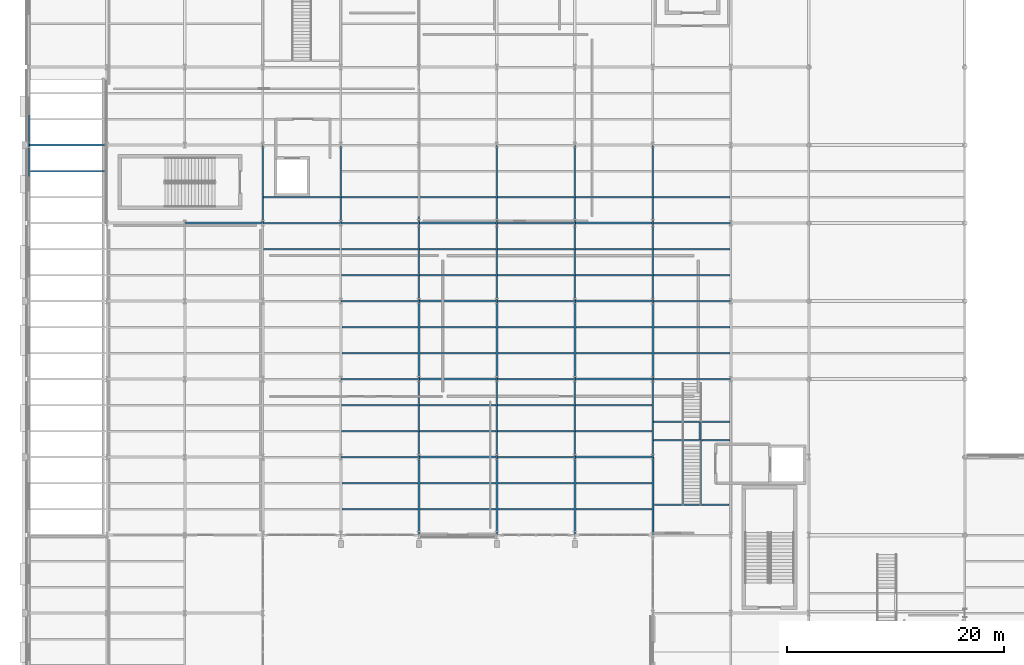
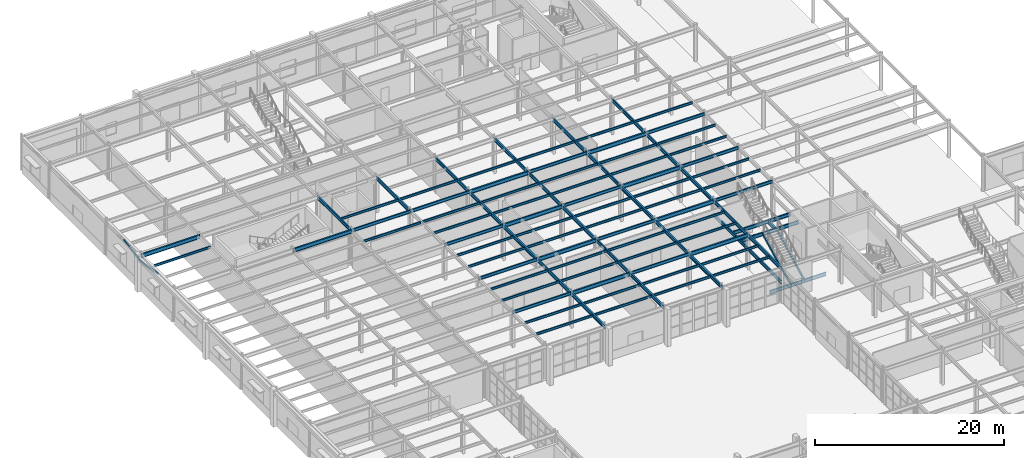
# One storey, part 36 of 83: 93 beams, 4 members.
"""IFC4 building model written with IfcOpenShell, lengths in metres."""

from ifc_helpers import new_model, si_unit, direction, frame, origin, origin_2d, place, context, subcontext, project, spatial, hollow_rectangle, i_section, extrude, material, material_profile, profile_set, type_object, element, save


model = new_model("IFC4")

# Units and contexts
model_context = context("Model", 3, precision=1e-05, world=origin(), true_north=direction((0.0, 1.0)))
body_context = subcontext(model_context, "Body", "Model", "MODEL_VIEW")
ifc_project = project(units=[si_unit("LENGTHUNIT", "METRE"), si_unit("AREAUNIT", "SQUARE_METRE"), si_unit("VOLUMEUNIT", "CUBIC_METRE"), si_unit("PLANEANGLEUNIT", "RADIAN"), si_unit("MASSUNIT", "GRAM", prefix="KILO")], contexts=[model_context])

# Site, building, storey
site_placement = place(None, origin())
site = spatial("IfcSite", under=ifc_project, at=site_placement, CompositionType="ELEMENT")
building_placement = place(site_placement, origin())
building = spatial("IfcBuilding", under=site, at=building_placement, Name="Solvadek Multi-Sports Hall", CompositionType="ELEMENT")
storey_placement = place(building_placement, origin())
storey = spatial("IfcBuildingStorey", under=building, at=storey_placement, Name="L00", CompositionType="ELEMENT", Elevation=0.0)

# Members
ifc_material_1 = material(Name="Steel E250 (250 MPa)", Category="steel")
ifc_material_profile_1 = material_profile(ifc_material_1, hollow_rectangle(XDim=0.14990234375, YDim=0.300048828125, WallThickness=0.010009765625, at=origin_2d()), Name="RHS 300x150x10")
ifc_profile_set_1 = profile_set([ifc_material_profile_1], Name="Steel E250 (250 MPa)")
member_type_1 = type_object("IfcMemberType", Name="INT-SGR-RHS300", PredefinedType="STRINGER", material=ifc_profile_set_1)
for number, where, z_axis, x_axis, name in (
    (1, (62.0400390625, 52.0, -0.47998046875), (0.0, 0.889594277136, 0.456751597793), (-1.0, 0.0, 0.0), "Stair ST-10 Steel Stringer #7"),
    (2, (60.360107421875, 52.0, -0.47998046875), (0.0, 0.889594277136, 0.456751597793), (-1.0, 0.0, 0.0), "Stair ST-10 Steel Stringer #8"),
):
    element("IfcMember", number, at=place(storey_placement, frame(where, z_axis=z_axis, x_axis=x_axis)), inside=storey, type_object=member_type_1, Name=name, PredefinedType="STRINGER", context=body_context, shape_type="SweptSolid", body=[
        extrude(hollow_rectangle(XDim=0.14990234375, YDim=0.300048828125, WallThickness=0.010009765625, at=origin_2d()), origin(), (0.0, 0.0, 1.0), 6.6884765625),
    ])
ifc_material_2 = material(Name="Steel E350 (350 MPa)", Category="steel")
ifc_material_profile_2 = material_profile(ifc_material_2, hollow_rectangle(XDim=0.14990234375, YDim=0.25, WallThickness=0.010009765625, at=origin_2d()), Name="RHS 250x150x10")
ifc_profile_set_2 = profile_set([ifc_material_profile_2], Name="Steel E350 (350 MPa)")
member_type_2 = type_object("IfcMemberType", Name="STR-ARC-RHS250", PredefinedType="USERDEFINED", material=ifc_profile_set_2)
member_1_placement = place(storey_placement, frame((0.0, 81.60009765625, 4.219970703125), z_axis=(0.0, 0.9831211258, -0.182955874479), x_axis=(-1.0, 0.0, 0.0)))
element("IfcMember", 3, at=member_1_placement, inside=storey, type_object=member_type_2, Name="L00 West Facade Pointed Ottoman Arch 9R", ObjectType="ARCH_SEGMENT", PredefinedType="USERDEFINED", context=body_context, shape_type="SweptSolid", body=[
    extrude(hollow_rectangle(XDim=0.14990234375, YDim=0.25, WallThickness=0.010009765625, at=origin_2d()), origin(), (0.0, 0.0, 1.0), 3.66162109375),
])
member_2_placement = place(storey_placement, frame((0.0, 85.199951171875, 3.550048828125), z_axis=(0.0, 0.983123357379, 0.182943882588), x_axis=(-1.0, 0.0, 0.0)))
element("IfcMember", 4, at=member_2_placement, inside=storey, type_object=member_type_2, Name="L00 West Facade Pointed Ottoman Arch 10L", ObjectType="ARCH_SEGMENT", PredefinedType="USERDEFINED", context=body_context, shape_type="SweptSolid", body=[
    extrude(hollow_rectangle(XDim=0.14990234375, YDim=0.25, WallThickness=0.010009765625, at=origin_2d()), origin(), (0.0, 0.0, 1.0), 3.661865234375),
])

# Beams
ifc_material_profile_3 = material_profile(ifc_material_2, i_section(OverallWidth=0.139892578125, OverallDepth=0.39990234375, WebThickness=0.0087890625, FlangeThickness=0.01611328125, at=origin_2d()), Name="ISMB 400")
ifc_profile_set_3 = profile_set([ifc_material_profile_3], Name="Steel E350 (350 MPa)")
beam_type_1 = type_object("IfcBeamType", Name="STR-BM-ISMB400", PredefinedType="BEAM", material=ifc_profile_set_3)
for number, where, z_axis, x_axis, name in (
    (5, (28.800048828125, 56.39990234375, 4.3798828125), (1.0, 0.0, 0.0), (0.0, 1.0, 0.0), "L00 Girder B-10 #627"),
    (6, (43.199951171875, 56.39990234375, 4.3798828125), (1.0, 0.0, 0.0), (0.0, 1.0, 0.0), "L00 Girder B-10 #629"),
    (7, (28.800048828125, 63.60009765625, 4.3798828125), (1.0, 0.0, 0.0), (0.0, 1.0, 0.0), "L00 Girder B-10 #641"),
    (8, (43.199951171875, 63.60009765625, 4.3798828125), (1.0, 0.0, 0.0), (0.0, 1.0, 0.0), "L00 Girder B-10 #643"),
    (9, (57.60009765625, 63.60009765625, 4.3798828125), (1.0, 0.0, 0.0), (0.0, 1.0, 0.0), "L00 Girder B-10 #645"),
    (10, (28.800048828125, 70.800048828125, 4.3798828125), (1.0, 0.0, 0.0), (0.0, 1.0, 0.0), "L00 Girder B-10 #656"),
    (11, (43.199951171875, 70.800048828125, 4.3798828125), (1.0, 0.0, 0.0), (0.0, 1.0, 0.0), "L00 Girder B-10 #658"),
    (12, (57.60009765625, 70.800048828125, 4.3798828125), (1.0, 0.0, 0.0), (0.0, 1.0, 0.0), "L00 Girder B-10 #660"),
    (13, (21.60009765625, 78.0, 4.3798828125), (1.0, 0.0, 0.0), (0.0, 1.0, 0.0), "L00 Girder B-10 #670"),
    (14, (28.800048828125, 78.0, 4.3798828125), (1.0, 0.0, 0.0), (0.0, 1.0, 0.0), "L00 Girder B-10 #671"),
    (15, (43.199951171875, 78.0, 4.3798828125), (1.0, 0.0, 0.0), (0.0, 1.0, 0.0), "L00 Girder B-10 #673"),
    (16, (57.60009765625, 78.0, 4.3798828125), (1.0, 0.0, 0.0), (0.0, 1.0, 0.0), "L00 Girder B-10 #675"),
):
    element("IfcBeam", number, at=place(storey_placement, frame(where, z_axis=z_axis, x_axis=x_axis)), inside=storey, type_object=beam_type_1, Name=name, PredefinedType="BEAM", context=body_context, shape_type="SweptSolid", body=[
        extrude(i_section(OverallWidth=0.139892578125, OverallDepth=0.39990234375, WebThickness=0.0087890625, FlangeThickness=0.01611328125, at=origin_2d()), origin(), (0.0, 0.0, 1.0), 7.199951171875),
    ])
ifc_material_profile_4 = material_profile(ifc_material_2, i_section(OverallWidth=0.14990234375, OverallDepth=0.449951171875, WebThickness=0.009521484375, FlangeThickness=0.017333984375, at=origin_2d()), Name="ISMB 450")
ifc_profile_set_4 = profile_set([ifc_material_profile_4], Name="Steel E350 (350 MPa)")
beam_type_2 = type_object("IfcBeamType", Name="STR-BM-ISMB450", PredefinedType="BEAM", material=ifc_profile_set_4)
for number, where, z_axis, x_axis, name in (
    (17, (21.60009765625, 78.0, 4.35498046875), (0.0, 1.0, 0.0), (-1.0, 0.0, 0.0), "L00 Girder B-09 #771"),
    (18, (28.800048828125, 78.0, 4.35498046875), (0.0, 1.0, 0.0), (-1.0, 0.0, 0.0), "L00 Girder B-09 #779"),
):
    element("IfcBeam", number, at=place(storey_placement, frame(where, z_axis=z_axis, x_axis=x_axis)), inside=storey, type_object=beam_type_2, Name=name, PredefinedType="BEAM", context=body_context, shape_type="SweptSolid", body=[
        extrude(i_section(OverallWidth=0.14990234375, OverallDepth=0.449951171875, WebThickness=0.009521484375, FlangeThickness=0.017333984375, at=origin_2d()), origin(), (0.0, 0.0, 1.0), 7.199951171875),
    ])
beam_1_placement = place(storey_placement, frame((36.0, 56.39990234375, 4.35498046875), z_axis=(0.0, 1.0, 0.0), x_axis=(-1.0, 0.0, 0.0)))
element("IfcBeam", 19, at=beam_1_placement, inside=storey, type_object=beam_type_2, Name="L00 Girder B-09 #786", PredefinedType="BEAM", context=body_context, shape_type="SweptSolid", body=[
    extrude(i_section(OverallWidth=0.14990234375, OverallDepth=0.449951171875, WebThickness=0.009521484375, FlangeThickness=0.017333984375, at=origin_2d()), origin(), (0.0, 0.0, 1.0), 7.2001953125),
])
for number, where, z_axis, x_axis, name in (
    (20, (36.0, 70.800048828125, 4.35498046875), (0.0, 1.0, 0.0), (-1.0, 0.0, 0.0), "L00 Girder B-09 #788"),
    (21, (36.0, 78.0, 4.35498046875), (0.0, 1.0, 0.0), (-1.0, 0.0, 0.0), "L00 Girder B-09 #789"),
):
    element("IfcBeam", number, at=place(storey_placement, frame(where, z_axis=z_axis, x_axis=x_axis)), inside=storey, type_object=beam_type_2, Name=name, PredefinedType="BEAM", context=body_context, shape_type="SweptSolid", body=[
        extrude(i_section(OverallWidth=0.14990234375, OverallDepth=0.449951171875, WebThickness=0.009521484375, FlangeThickness=0.017333984375, at=origin_2d()), origin(), (0.0, 0.0, 1.0), 7.199951171875),
    ])
beam_2_placement = place(storey_placement, frame((43.199951171875, 56.39990234375, 4.35498046875), z_axis=(0.0, 1.0, 0.0), x_axis=(-1.0, 0.0, 0.0)))
element("IfcBeam", 22, at=beam_2_placement, inside=storey, type_object=beam_type_2, Name="L00 Girder B-09 #798", PredefinedType="BEAM", context=body_context, shape_type="SweptSolid", body=[
    extrude(i_section(OverallWidth=0.14990234375, OverallDepth=0.449951171875, WebThickness=0.009521484375, FlangeThickness=0.017333984375, at=origin_2d()), origin(), (0.0, 0.0, 1.0), 7.2001953125),
])
for number, where, z_axis, x_axis, name in (
    (23, (43.199951171875, 70.800048828125, 4.35498046875), (0.0, 1.0, 0.0), (-1.0, 0.0, 0.0), "L00 Girder B-09 #800"),
    (24, (43.199951171875, 78.0, 4.35498046875), (0.0, 1.0, 0.0), (-1.0, 0.0, 0.0), "L00 Girder B-09 #801"),
):
    element("IfcBeam", number, at=place(storey_placement, frame(where, z_axis=z_axis, x_axis=x_axis)), inside=storey, type_object=beam_type_2, Name=name, PredefinedType="BEAM", context=body_context, shape_type="SweptSolid", body=[
        extrude(i_section(OverallWidth=0.14990234375, OverallDepth=0.449951171875, WebThickness=0.009521484375, FlangeThickness=0.017333984375, at=origin_2d()), origin(), (0.0, 0.0, 1.0), 7.199951171875),
    ])
beam_3_placement = place(storey_placement, frame((50.39990234375, 56.39990234375, 4.35498046875), z_axis=(0.0, 1.0, 0.0), x_axis=(-1.0, 0.0, 0.0)))
element("IfcBeam", 25, at=beam_3_placement, inside=storey, type_object=beam_type_2, Name="L00 Girder B-09 #810", PredefinedType="BEAM", context=body_context, shape_type="SweptSolid", body=[
    extrude(i_section(OverallWidth=0.14990234375, OverallDepth=0.449951171875, WebThickness=0.009521484375, FlangeThickness=0.017333984375, at=origin_2d()), origin(), (0.0, 0.0, 1.0), 7.2001953125),
])
for number, where, z_axis, x_axis, name in (
    (26, (50.39990234375, 70.800048828125, 4.35498046875), (0.0, 1.0, 0.0), (-1.0, 0.0, 0.0), "L00 Girder B-09 #812"),
    (27, (50.39990234375, 78.0, 4.35498046875), (0.0, 1.0, 0.0), (-1.0, 0.0, 0.0), "L00 Girder B-09 #813"),
):
    element("IfcBeam", number, at=place(storey_placement, frame(where, z_axis=z_axis, x_axis=x_axis)), inside=storey, type_object=beam_type_2, Name=name, PredefinedType="BEAM", context=body_context, shape_type="SweptSolid", body=[
        extrude(i_section(OverallWidth=0.14990234375, OverallDepth=0.449951171875, WebThickness=0.009521484375, FlangeThickness=0.017333984375, at=origin_2d()), origin(), (0.0, 0.0, 1.0), 7.199951171875),
    ])
beam_4_placement = place(storey_placement, frame((57.60009765625, 56.39990234375, 4.35498046875), z_axis=(0.0, 1.0, 0.0), x_axis=(-1.0, 0.0, 0.0)))
element("IfcBeam", 28, at=beam_4_placement, inside=storey, type_object=beam_type_2, Name="L00 Girder B-09 #829", PredefinedType="BEAM", context=body_context, shape_type="SweptSolid", body=[
    extrude(i_section(OverallWidth=0.14990234375, OverallDepth=0.449951171875, WebThickness=0.009521484375, FlangeThickness=0.017333984375, at=origin_2d()), origin(), (0.0, 0.0, 1.0), 7.2001953125),
])
for number, where, z_axis, x_axis, name in (
    (29, (57.60009765625, 70.800048828125, 4.35498046875), (0.0, 1.0, 0.0), (-1.0, 0.0, 0.0), "L00 Girder B-09 #831"),
    (30, (57.60009765625, 78.0, 4.35498046875), (0.0, 1.0, 0.0), (-1.0, 0.0, 0.0), "L00 Girder B-09 #832"),
):
    element("IfcBeam", number, at=place(storey_placement, frame(where, z_axis=z_axis, x_axis=x_axis)), inside=storey, type_object=beam_type_2, Name=name, PredefinedType="BEAM", context=body_context, shape_type="SweptSolid", body=[
        extrude(i_section(OverallWidth=0.14990234375, OverallDepth=0.449951171875, WebThickness=0.009521484375, FlangeThickness=0.017333984375, at=origin_2d()), origin(), (0.0, 0.0, 1.0), 7.199951171875),
    ])
ifc_material_profile_5 = material_profile(ifc_material_2, i_section(OverallWidth=0.179931640625, OverallDepth=0.5, WebThickness=0.01025390625, FlangeThickness=0.01708984375, at=origin_2d()), Name="ISMB 500")
ifc_profile_set_5 = profile_set([ifc_material_profile_5], Name="Steel E350 (350 MPa)")
beam_type_3 = type_object("IfcBeamType", Name="STR-BM-ISMB500", PredefinedType="BEAM", material=ifc_profile_set_5)
beam_5_placement = place(storey_placement, frame((36.0, 56.39990234375, 4.330078125), z_axis=(1.0, 0.0, 0.0), x_axis=(0.0, 1.0, 0.0)))
element("IfcBeam", 31, at=beam_5_placement, inside=storey, type_object=beam_type_3, Name="L00 Girder B-07 #628", PredefinedType="BEAM", context=body_context, shape_type="SweptSolid", body=[
    extrude(i_section(OverallWidth=0.179931640625, OverallDepth=0.5, WebThickness=0.01025390625, FlangeThickness=0.01708984375, at=origin_2d()), origin(), (0.0, 0.0, 1.0), 7.199951171875),
])
beam_6_placement = place(storey_placement, frame((50.39990234375, 56.39990234375, 4.330078125), z_axis=(1.0, 0.0, 0.0), x_axis=(0.0, 1.0, 0.0)))
element("IfcBeam", 32, at=beam_6_placement, inside=storey, type_object=beam_type_3, Name="L00 Girder B-07 #630", PredefinedType="BEAM", context=body_context, shape_type="SweptSolid", body=[
    extrude(i_section(OverallWidth=0.179931640625, OverallDepth=0.5, WebThickness=0.01025390625, FlangeThickness=0.01708984375, at=origin_2d()), origin(), (0.0, 0.0, 1.0), 7.2001953125),
])
beam_7_placement = place(storey_placement, frame((36.0, 63.60009765625, 4.330078125), z_axis=(1.0, 0.0, 0.0), x_axis=(0.0, 1.0, 0.0)))
element("IfcBeam", 33, at=beam_7_placement, inside=storey, type_object=beam_type_3, Name="L00 Girder B-07 #642", PredefinedType="BEAM", context=body_context, shape_type="SweptSolid", body=[
    extrude(i_section(OverallWidth=0.179931640625, OverallDepth=0.5, WebThickness=0.01025390625, FlangeThickness=0.01708984375, at=origin_2d()), origin(), (0.0, 0.0, 1.0), 7.199951171875),
])
beam_8_placement = place(storey_placement, frame((50.39990234375, 63.60009765625, 4.330078125), z_axis=(1.0, 0.0, 0.0), x_axis=(0.0, 1.0, 0.0)))
element("IfcBeam", 34, at=beam_8_placement, inside=storey, type_object=beam_type_3, Name="L00 Girder B-07 #644", PredefinedType="BEAM", context=body_context, shape_type="SweptSolid", body=[
    extrude(i_section(OverallWidth=0.179931640625, OverallDepth=0.5, WebThickness=0.01025390625, FlangeThickness=0.01708984375, at=origin_2d()), origin(), (0.0, 0.0, 1.0), 7.2001953125),
])
beam_9_placement = place(storey_placement, frame((36.0, 70.800048828125, 4.330078125), z_axis=(1.0, 0.0, 0.0), x_axis=(0.0, 1.0, 0.0)))
element("IfcBeam", 35, at=beam_9_placement, inside=storey, type_object=beam_type_3, Name="L00 Girder B-07 #657", PredefinedType="BEAM", context=body_context, shape_type="SweptSolid", body=[
    extrude(i_section(OverallWidth=0.179931640625, OverallDepth=0.5, WebThickness=0.01025390625, FlangeThickness=0.01708984375, at=origin_2d()), origin(), (0.0, 0.0, 1.0), 7.199951171875),
])
for number, where, z_axis, x_axis, name in (
    (36, (50.39990234375, 70.800048828125, 4.330078125), (1.0, 0.0, 0.0), (0.0, 1.0, 0.0), "L00 Girder B-07 #659"),
    (37, (14.39990234375, 78.0, 4.330078125), (1.0, 0.0, 0.0), (0.0, 1.0, 0.0), "L00 Girder B-07 #669"),
):
    element("IfcBeam", number, at=place(storey_placement, frame(where, z_axis=z_axis, x_axis=x_axis)), inside=storey, type_object=beam_type_3, Name=name, PredefinedType="BEAM", context=body_context, shape_type="SweptSolid", body=[
        extrude(i_section(OverallWidth=0.179931640625, OverallDepth=0.5, WebThickness=0.01025390625, FlangeThickness=0.01708984375, at=origin_2d()), origin(), (0.0, 0.0, 1.0), 7.2001953125),
    ])
beam_10_placement = place(storey_placement, frame((36.0, 78.0, 4.330078125), z_axis=(1.0, 0.0, 0.0), x_axis=(0.0, 1.0, 0.0)))
element("IfcBeam", 38, at=beam_10_placement, inside=storey, type_object=beam_type_3, Name="L00 Girder B-07 #672", PredefinedType="BEAM", context=body_context, shape_type="SweptSolid", body=[
    extrude(i_section(OverallWidth=0.179931640625, OverallDepth=0.5, WebThickness=0.01025390625, FlangeThickness=0.01708984375, at=origin_2d()), origin(), (0.0, 0.0, 1.0), 7.199951171875),
])
beam_11_placement = place(storey_placement, frame((50.39990234375, 78.0, 4.330078125), z_axis=(1.0, 0.0, 0.0), x_axis=(0.0, 1.0, 0.0)))
element("IfcBeam", 39, at=beam_11_placement, inside=storey, type_object=beam_type_3, Name="L00 Girder B-07 #674", PredefinedType="BEAM", context=body_context, shape_type="SweptSolid", body=[
    extrude(i_section(OverallWidth=0.179931640625, OverallDepth=0.5, WebThickness=0.01025390625, FlangeThickness=0.01708984375, at=origin_2d()), origin(), (0.0, 0.0, 1.0), 7.2001953125),
])
beam_12_placement = place(storey_placement, frame((0.0, 85.199951171875, 4.330078125), z_axis=(1.0, 0.0, 0.0), x_axis=(0.0, 1.0, 0.0)))
element("IfcBeam", 40, at=beam_12_placement, inside=storey, type_object=beam_type_3, Name="L00 Girder B-07 #678", PredefinedType="BEAM", context=body_context, shape_type="SweptSolid", body=[
    extrude(i_section(OverallWidth=0.179931640625, OverallDepth=0.5, WebThickness=0.01025390625, FlangeThickness=0.01708984375, at=origin_2d()), origin(), (0.0, 0.0, 1.0), 7.199951171875),
])
ifc_material_profile_6 = material_profile(ifc_material_2, i_section(OverallWidth=0.14990234375, OverallDepth=0.449951171875, WebThickness=0.009521484375, FlangeThickness=0.017333984375, at=origin_2d()), Name="ISMB 450")
ifc_profile_set_6 = profile_set([ifc_material_profile_6], Name="Steel E350 (350 MPa)")
beam_type_4 = type_object("IfcBeamType", Name="STR-BM-LND450", PredefinedType="BEAM", material=ifc_profile_set_6)
beam_13_placement = place(storey_placement, frame((57.60009765625, 49.199951171875, 2.574951171875), z_axis=(0.0, 1.0, 0.0), x_axis=(-1.0, 0.0, 0.0)))
element("IfcBeam", 41, at=beam_13_placement, inside=storey, type_object=beam_type_4, Name="Stair ST-10 Landing Edge Girder #1", PredefinedType="BEAM", context=body_context, shape_type="SweptSolid", body=[
    extrude(i_section(OverallWidth=0.14990234375, OverallDepth=0.449951171875, WebThickness=0.009521484375, FlangeThickness=0.017333984375, at=origin_2d()), origin(), (0.0, 0.0, 1.0), 14.400146484375),
])
for number, where, z_axis, x_axis, name in (
    (42, (57.675048828125, 57.949951171875, 2.574951171875), (1.0, 0.0, 0.0), (0.0, 1.0, 0.0), "Stair ST-10 Landing Trimmer Girder #1"),
    (43, (57.675048828125, 59.64990234375, 2.574951171875), (1.0, 0.0, 0.0), (0.0, 1.0, 0.0), "Stair ST-10 Landing Trimmer Girder #2"),
):
    element("IfcBeam", number, at=place(storey_placement, frame(where, z_axis=z_axis, x_axis=x_axis)), inside=storey, type_object=beam_type_4, Name=name, PredefinedType="BEAM", context=body_context, shape_type="SweptSolid", body=[
        extrude(i_section(OverallWidth=0.14990234375, OverallDepth=0.449951171875, WebThickness=0.009521484375, FlangeThickness=0.017333984375, at=origin_2d()), origin(), (0.0, 0.0, 1.0), 7.050048828125),
    ])
beam_14_placement = place(storey_placement, frame((61.9560546875, 58.02490234375, 2.574951171875), z_axis=(0.0, 1.0, 0.0), x_axis=(-1.0, 0.0, 0.0)))
element("IfcBeam", 44, at=beam_14_placement, inside=storey, type_object=beam_type_4, Name="Stair ST-10 Landing Diaphragm Rib", PredefinedType="BEAM", context=body_context, shape_type="SweptSolid", body=[
    extrude(i_section(OverallWidth=0.14990234375, OverallDepth=0.449951171875, WebThickness=0.009521484375, FlangeThickness=0.017333984375, at=origin_2d()), origin(), (0.0, 0.0, 1.0), 1.550048828125),
])
beam_15_placement = place(storey_placement, frame((57.760009765625, 52.0, -0.47998046875), z_axis=(1.0, 0.0, 0.0), x_axis=(0.0, 1.0, 0.0)))
element("IfcBeam", 45, at=beam_15_placement, inside=storey, type_object=beam_type_4, Name="Stair ST-10 Foot Trimmer Girder", PredefinedType="BEAM", context=body_context, shape_type="SweptSolid", body=[
    extrude(i_section(OverallWidth=0.14990234375, OverallDepth=0.449951171875, WebThickness=0.009521484375, FlangeThickness=0.017333984375, at=origin_2d()), origin(), (0.0, 0.0, 1.0), 6.8798828125),
])
ifc_material_profile_7 = material_profile(ifc_material_2, i_section(OverallWidth=0.18994140625, OverallDepth=0.449951171875, WebThickness=0.009521484375, FlangeThickness=0.0146484375, at=origin_2d()), Name="NPB 450")
ifc_profile_set_7 = profile_set([ifc_material_profile_7], Name="Steel E350 (350 MPa)")
beam_type_5 = type_object("IfcBeamType", Name="STR-BM-NPB450", PredefinedType="BEAM", material=ifc_profile_set_7)
for number, where, z_axis, x_axis, name in (
    (46, (36.0, 49.199951171875, 4.35498046875), (0.0, 1.0, 0.0), (-1.0, 0.0, 0.0), "L00 Girder B-08 #785"),
    (47, (36.0, 63.60009765625, 4.35498046875), (0.0, 1.0, 0.0), (-1.0, 0.0, 0.0), "L00 Girder B-08 #787"),
    (48, (43.199951171875, 49.199951171875, 4.35498046875), (0.0, 1.0, 0.0), (-1.0, 0.0, 0.0), "L00 Girder B-08 #797"),
    (49, (43.199951171875, 63.60009765625, 4.35498046875), (0.0, 1.0, 0.0), (-1.0, 0.0, 0.0), "L00 Girder B-08 #799"),
    (50, (50.39990234375, 49.199951171875, 4.35498046875), (0.0, 1.0, 0.0), (-1.0, 0.0, 0.0), "L00 Girder B-08 #809"),
    (51, (50.39990234375, 63.60009765625, 4.35498046875), (0.0, 1.0, 0.0), (-1.0, 0.0, 0.0), "L00 Girder B-08 #811"),
    (52, (57.60009765625, 49.199951171875, 4.35498046875), (0.0, 1.0, 0.0), (-1.0, 0.0, 0.0), "L00 Girder B-08 #828"),
    (53, (57.60009765625, 63.60009765625, 4.35498046875), (0.0, 1.0, 0.0), (-1.0, 0.0, 0.0), "L00 Girder B-08 #830"),
):
    element("IfcBeam", number, at=place(storey_placement, frame(where, z_axis=z_axis, x_axis=x_axis)), inside=storey, type_object=beam_type_5, Name=name, PredefinedType="BEAM", context=body_context, shape_type="SweptSolid", body=[
        extrude(i_section(OverallWidth=0.18994140625, OverallDepth=0.449951171875, WebThickness=0.009521484375, FlangeThickness=0.0146484375, at=origin_2d()), origin(), (0.0, 0.0, 1.0), 7.199951171875),
    ])
ifc_material_profile_8 = material_profile(ifc_material_2, i_section(OverallWidth=0.139892578125, OverallDepth=0.300048828125, WebThickness=0.0078125, FlangeThickness=0.01318359375, at=origin_2d()), Name="ISMB 300")
ifc_profile_set_8 = profile_set([ifc_material_profile_8], Name="Steel E350 (350 MPa)")
beam_type_6 = type_object("IfcBeamType", Name="STR-JST-ISMB300", PredefinedType="JOIST", material=ifc_profile_set_8)
for number, where, z_axis, x_axis, name in (
    (54, (28.89501953125, 51.60009765625, 4.429931640625), (1.0, 0.0, 0.0), (0.0, 1.0, 0.0), "L00 Composite Joist J-03 #452"),
    (55, (28.89501953125, 54.0, 4.429931640625), (1.0, 0.0, 0.0), (0.0, 1.0, 0.0), "L00 Composite Joist J-03 #453"),
    (56, (36.094970703125, 51.60009765625, 4.429931640625), (1.0, 0.0, 0.0), (0.0, 1.0, 0.0), "L00 Composite Joist J-03 #454"),
    (57, (36.094970703125, 54.0, 4.429931640625), (1.0, 0.0, 0.0), (0.0, 1.0, 0.0), "L00 Composite Joist J-03 #455"),
    (58, (43.294921875, 51.60009765625, 4.429931640625), (1.0, 0.0, 0.0), (0.0, 1.0, 0.0), "L00 Composite Joist J-03 #456"),
    (59, (43.294921875, 54.0, 4.429931640625), (1.0, 0.0, 0.0), (0.0, 1.0, 0.0), "L00 Composite Joist J-03 #457"),
):
    element("IfcBeam", number, at=place(storey_placement, frame(where, z_axis=z_axis, x_axis=x_axis)), inside=storey, type_object=beam_type_6, Name=name, PredefinedType="JOIST", context=body_context, shape_type="SweptSolid", body=[
        extrude(i_section(OverallWidth=0.139892578125, OverallDepth=0.300048828125, WebThickness=0.0078125, FlangeThickness=0.01318359375, at=origin_2d()), origin(), (0.0, 0.0, 1.0), 7.010009765625),
    ])
for number, where, z_axis, x_axis, name in (
    (60, (50.4951171875, 51.60009765625, 4.429931640625), (1.0, 0.0, 0.0), (0.0, 1.0, 0.0), "L00 Composite Joist J-03 #458"),
    (61, (50.4951171875, 54.0, 4.429931640625), (1.0, 0.0, 0.0), (0.0, 1.0, 0.0), "L00 Composite Joist J-03 #459"),
):
    element("IfcBeam", number, at=place(storey_placement, frame(where, z_axis=z_axis, x_axis=x_axis)), inside=storey, type_object=beam_type_6, Name=name, PredefinedType="JOIST", context=body_context, shape_type="SweptSolid", body=[
        extrude(i_section(OverallWidth=0.139892578125, OverallDepth=0.300048828125, WebThickness=0.0078125, FlangeThickness=0.01318359375, at=origin_2d()), origin(), (0.0, 0.0, 1.0), 7.009765625),
    ])
for number, where, z_axis, x_axis, name in (
    (62, (28.875, 58.800048828125, 4.429931640625), (1.0, 0.0, 0.0), (0.0, 1.0, 0.0), "L00 Composite Joist J-03 #476"),
    (63, (28.875, 61.199951171875, 4.429931640625), (1.0, 0.0, 0.0), (0.0, 1.0, 0.0), "L00 Composite Joist J-03 #477"),
    (64, (36.074951171875, 58.800048828125, 4.429931640625), (1.0, 0.0, 0.0), (0.0, 1.0, 0.0), "L00 Composite Joist J-03 #478"),
    (65, (36.074951171875, 61.199951171875, 4.429931640625), (1.0, 0.0, 0.0), (0.0, 1.0, 0.0), "L00 Composite Joist J-03 #479"),
    (66, (43.27490234375, 58.800048828125, 4.429931640625), (1.0, 0.0, 0.0), (0.0, 1.0, 0.0), "L00 Composite Joist J-03 #480"),
    (67, (43.27490234375, 61.199951171875, 4.429931640625), (1.0, 0.0, 0.0), (0.0, 1.0, 0.0), "L00 Composite Joist J-03 #481"),
):
    element("IfcBeam", number, at=place(storey_placement, frame(where, z_axis=z_axis, x_axis=x_axis)), inside=storey, type_object=beam_type_6, Name=name, PredefinedType="JOIST", context=body_context, shape_type="SweptSolid", body=[
        extrude(i_section(OverallWidth=0.139892578125, OverallDepth=0.300048828125, WebThickness=0.0078125, FlangeThickness=0.01318359375, at=origin_2d()), origin(), (0.0, 0.0, 1.0), 7.050048828125),
    ])
for number, where, z_axis, x_axis, name in (
    (68, (50.47509765625, 58.800048828125, 4.429931640625), (1.0, 0.0, 0.0), (0.0, 1.0, 0.0), "L00 Composite Joist J-03 #482"),
    (69, (50.47509765625, 61.199951171875, 4.429931640625), (1.0, 0.0, 0.0), (0.0, 1.0, 0.0), "L00 Composite Joist J-03 #483"),
):
    element("IfcBeam", number, at=place(storey_placement, frame(where, z_axis=z_axis, x_axis=x_axis)), inside=storey, type_object=beam_type_6, Name=name, PredefinedType="JOIST", context=body_context, shape_type="SweptSolid", body=[
        extrude(i_section(OverallWidth=0.139892578125, OverallDepth=0.300048828125, WebThickness=0.0078125, FlangeThickness=0.01318359375, at=origin_2d()), origin(), (0.0, 0.0, 1.0), 7.0498046875),
    ])
for number, where, z_axis, x_axis, name in (
    (70, (28.89501953125, 66.0, 4.429931640625), (1.0, 0.0, 0.0), (0.0, 1.0, 0.0), "L00 Composite Joist J-03 #492"),
    (71, (28.89501953125, 68.39990234375, 4.429931640625), (1.0, 0.0, 0.0), (0.0, 1.0, 0.0), "L00 Composite Joist J-03 #493"),
    (72, (36.094970703125, 66.0, 4.429931640625), (1.0, 0.0, 0.0), (0.0, 1.0, 0.0), "L00 Composite Joist J-03 #494"),
    (73, (36.094970703125, 68.39990234375, 4.429931640625), (1.0, 0.0, 0.0), (0.0, 1.0, 0.0), "L00 Composite Joist J-03 #495"),
    (74, (43.294921875, 66.0, 4.429931640625), (1.0, 0.0, 0.0), (0.0, 1.0, 0.0), "L00 Composite Joist J-03 #496"),
    (75, (43.294921875, 68.39990234375, 4.429931640625), (1.0, 0.0, 0.0), (0.0, 1.0, 0.0), "L00 Composite Joist J-03 #497"),
):
    element("IfcBeam", number, at=place(storey_placement, frame(where, z_axis=z_axis, x_axis=x_axis)), inside=storey, type_object=beam_type_6, Name=name, PredefinedType="JOIST", context=body_context, shape_type="SweptSolid", body=[
        extrude(i_section(OverallWidth=0.139892578125, OverallDepth=0.300048828125, WebThickness=0.0078125, FlangeThickness=0.01318359375, at=origin_2d()), origin(), (0.0, 0.0, 1.0), 7.010009765625),
    ])
for number, where, z_axis, x_axis, name in (
    (76, (50.4951171875, 66.0, 4.429931640625), (1.0, 0.0, 0.0), (0.0, 1.0, 0.0), "L00 Composite Joist J-03 #498"),
    (77, (50.4951171875, 68.39990234375, 4.429931640625), (1.0, 0.0, 0.0), (0.0, 1.0, 0.0), "L00 Composite Joist J-03 #499"),
):
    element("IfcBeam", number, at=place(storey_placement, frame(where, z_axis=z_axis, x_axis=x_axis)), inside=storey, type_object=beam_type_6, Name=name, PredefinedType="JOIST", context=body_context, shape_type="SweptSolid", body=[
        extrude(i_section(OverallWidth=0.139892578125, OverallDepth=0.300048828125, WebThickness=0.0078125, FlangeThickness=0.01318359375, at=origin_2d()), origin(), (0.0, 0.0, 1.0), 7.009765625),
    ])
for number, where, z_axis, x_axis, name in (
    (78, (57.695068359375, 66.0, 4.429931640625), (1.0, 0.0, 0.0), (0.0, 1.0, 0.0), "L00 Composite Joist J-03 #500"),
    (79, (57.695068359375, 68.39990234375, 4.429931640625), (1.0, 0.0, 0.0), (0.0, 1.0, 0.0), "L00 Composite Joist J-03 #501"),
):
    element("IfcBeam", number, at=place(storey_placement, frame(where, z_axis=z_axis, x_axis=x_axis)), inside=storey, type_object=beam_type_6, Name=name, PredefinedType="JOIST", context=body_context, shape_type="SweptSolid", body=[
        extrude(i_section(OverallWidth=0.139892578125, OverallDepth=0.300048828125, WebThickness=0.0078125, FlangeThickness=0.01318359375, at=origin_2d()), origin(), (0.0, 0.0, 1.0), 7.010009765625),
    ])
for number, where, z_axis, x_axis, name in (
    (80, (21.675048828125, 75.60009765625, 4.429931640625), (1.0, 0.0, 0.0), (0.0, 1.0, 0.0), "L00 Composite Joist J-03 #517"),
    (81, (28.875, 73.199951171875, 4.429931640625), (1.0, 0.0, 0.0), (0.0, 1.0, 0.0), "L00 Composite Joist J-03 #518"),
    (82, (28.875, 75.60009765625, 4.429931640625), (1.0, 0.0, 0.0), (0.0, 1.0, 0.0), "L00 Composite Joist J-03 #519"),
    (83, (36.074951171875, 73.199951171875, 4.429931640625), (1.0, 0.0, 0.0), (0.0, 1.0, 0.0), "L00 Composite Joist J-03 #520"),
    (84, (36.074951171875, 75.60009765625, 4.429931640625), (1.0, 0.0, 0.0), (0.0, 1.0, 0.0), "L00 Composite Joist J-03 #521"),
    (85, (43.27490234375, 73.199951171875, 4.429931640625), (1.0, 0.0, 0.0), (0.0, 1.0, 0.0), "L00 Composite Joist J-03 #522"),
    (86, (43.27490234375, 75.60009765625, 4.429931640625), (1.0, 0.0, 0.0), (0.0, 1.0, 0.0), "L00 Composite Joist J-03 #523"),
):
    element("IfcBeam", number, at=place(storey_placement, frame(where, z_axis=z_axis, x_axis=x_axis)), inside=storey, type_object=beam_type_6, Name=name, PredefinedType="JOIST", context=body_context, shape_type="SweptSolid", body=[
        extrude(i_section(OverallWidth=0.139892578125, OverallDepth=0.300048828125, WebThickness=0.0078125, FlangeThickness=0.01318359375, at=origin_2d()), origin(), (0.0, 0.0, 1.0), 7.050048828125),
    ])
for number, where, z_axis, x_axis, name in (
    (87, (50.47509765625, 73.199951171875, 4.429931640625), (1.0, 0.0, 0.0), (0.0, 1.0, 0.0), "L00 Composite Joist J-03 #524"),
    (88, (50.47509765625, 75.60009765625, 4.429931640625), (1.0, 0.0, 0.0), (0.0, 1.0, 0.0), "L00 Composite Joist J-03 #525"),
):
    element("IfcBeam", number, at=place(storey_placement, frame(where, z_axis=z_axis, x_axis=x_axis)), inside=storey, type_object=beam_type_6, Name=name, PredefinedType="JOIST", context=body_context, shape_type="SweptSolid", body=[
        extrude(i_section(OverallWidth=0.139892578125, OverallDepth=0.300048828125, WebThickness=0.0078125, FlangeThickness=0.01318359375, at=origin_2d()), origin(), (0.0, 0.0, 1.0), 7.0498046875),
    ])
for number, where, z_axis, x_axis, name in (
    (89, (57.675048828125, 73.199951171875, 4.429931640625), (1.0, 0.0, 0.0), (0.0, 1.0, 0.0), "L00 Composite Joist J-03 #526"),
    (90, (57.675048828125, 75.60009765625, 4.429931640625), (1.0, 0.0, 0.0), (0.0, 1.0, 0.0), "L00 Composite Joist J-03 #527"),
):
    element("IfcBeam", number, at=place(storey_placement, frame(where, z_axis=z_axis, x_axis=x_axis)), inside=storey, type_object=beam_type_6, Name=name, PredefinedType="JOIST", context=body_context, shape_type="SweptSolid", body=[
        extrude(i_section(OverallWidth=0.139892578125, OverallDepth=0.300048828125, WebThickness=0.0078125, FlangeThickness=0.01318359375, at=origin_2d()), origin(), (0.0, 0.0, 1.0), 7.050048828125),
    ])
beam_16_placement = place(storey_placement, frame((0.14990234375, 82.800048828125, 4.429931640625), z_axis=(1.0, 0.0, 0.0), x_axis=(0.0, 1.0, 0.0)))
element("IfcBeam", 91, at=beam_16_placement, inside=storey, type_object=beam_type_6, Name="L00 Composite Joist J-03 #529", PredefinedType="JOIST", context=body_context, shape_type="SweptSolid", body=[
    extrude(i_section(OverallWidth=0.139892578125, OverallDepth=0.300048828125, WebThickness=0.0078125, FlangeThickness=0.01318359375, at=origin_2d()), origin(), (0.0, 0.0, 1.0), 6.97509765625),
])
for number, where, z_axis, x_axis, name in (
    (92, (21.675048828125, 80.39990234375, 4.429931640625), (1.0, 0.0, 0.0), (0.0, 1.0, 0.0), "L00 Composite Joist J-03 #530"),
    (93, (28.875, 80.39990234375, 4.429931640625), (1.0, 0.0, 0.0), (0.0, 1.0, 0.0), "L00 Composite Joist J-03 #531"),
    (94, (36.074951171875, 80.39990234375, 4.429931640625), (1.0, 0.0, 0.0), (0.0, 1.0, 0.0), "L00 Composite Joist J-03 #533"),
    (95, (43.27490234375, 80.39990234375, 4.429931640625), (1.0, 0.0, 0.0), (0.0, 1.0, 0.0), "L00 Composite Joist J-03 #535"),
):
    element("IfcBeam", number, at=place(storey_placement, frame(where, z_axis=z_axis, x_axis=x_axis)), inside=storey, type_object=beam_type_6, Name=name, PredefinedType="JOIST", context=body_context, shape_type="SweptSolid", body=[
        extrude(i_section(OverallWidth=0.139892578125, OverallDepth=0.300048828125, WebThickness=0.0078125, FlangeThickness=0.01318359375, at=origin_2d()), origin(), (0.0, 0.0, 1.0), 7.050048828125),
    ])
beam_17_placement = place(storey_placement, frame((50.47509765625, 80.39990234375, 4.429931640625), z_axis=(1.0, 0.0, 0.0), x_axis=(0.0, 1.0, 0.0)))
element("IfcBeam", 96, at=beam_17_placement, inside=storey, type_object=beam_type_6, Name="L00 Composite Joist J-03 #537", PredefinedType="JOIST", context=body_context, shape_type="SweptSolid", body=[
    extrude(i_section(OverallWidth=0.139892578125, OverallDepth=0.300048828125, WebThickness=0.0078125, FlangeThickness=0.01318359375, at=origin_2d()), origin(), (0.0, 0.0, 1.0), 7.0498046875),
])
beam_18_placement = place(storey_placement, frame((57.675048828125, 80.39990234375, 4.429931640625), z_axis=(1.0, 0.0, 0.0), x_axis=(0.0, 1.0, 0.0)))
element("IfcBeam", 97, at=beam_18_placement, inside=storey, type_object=beam_type_6, Name="L00 Composite Joist J-03 #539", PredefinedType="JOIST", context=body_context, shape_type="SweptSolid", body=[
    extrude(i_section(OverallWidth=0.139892578125, OverallDepth=0.300048828125, WebThickness=0.0078125, FlangeThickness=0.01318359375, at=origin_2d()), origin(), (0.0, 0.0, 1.0), 7.050048828125),
])

save(model, "model.ifc")
